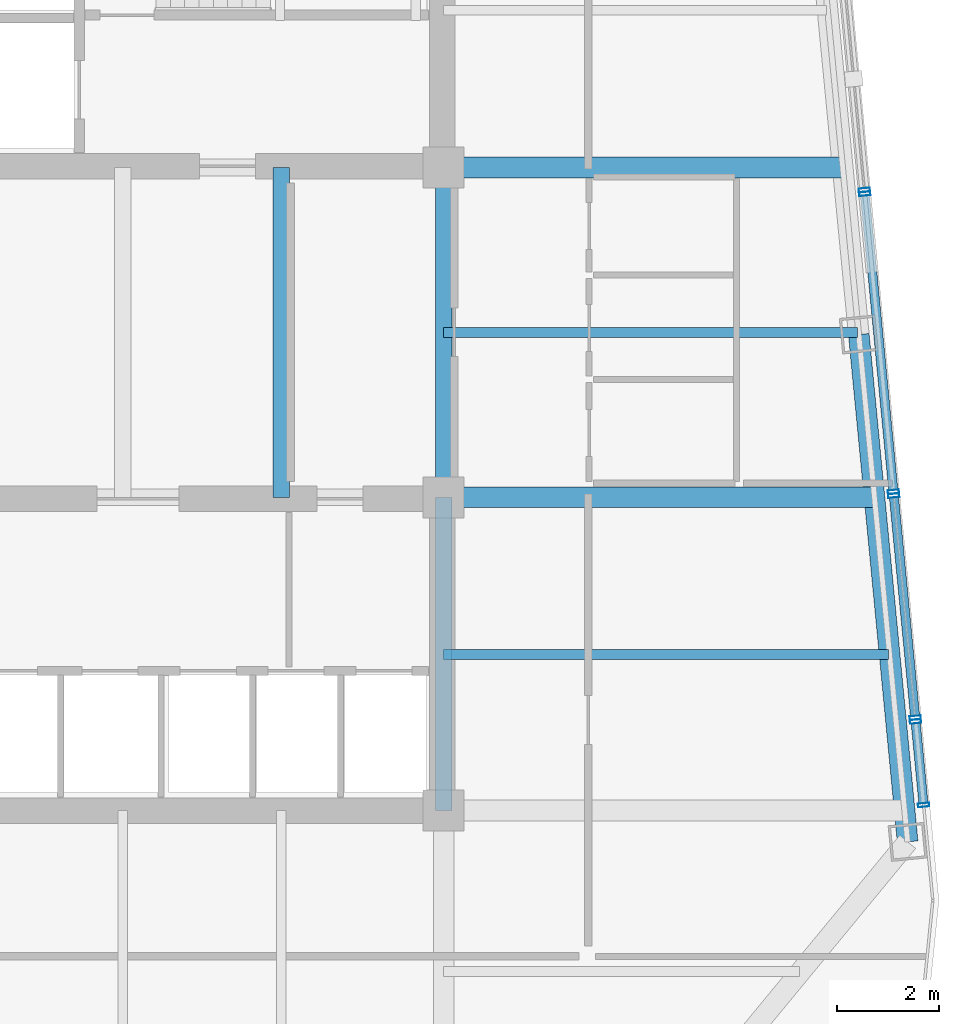
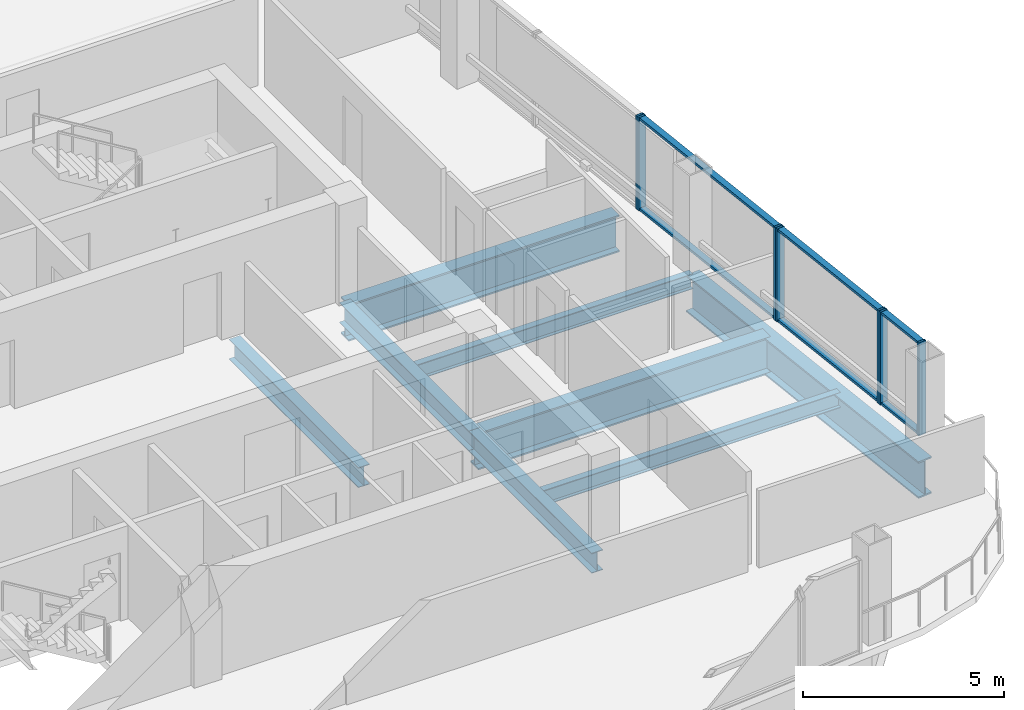
# One storey, part 14 of 28: 13 members, 8 beams, 4 elements without a shape of their own.
"""IFC4 building model written with IfcOpenShell, lengths in metres."""

from ifc_helpers import new_model, si_unit, direction, frame, origin, origin_2d, place, context, subcontext, project, spatial, hollow_rectangle, i_section, extrude, material, layer, layer_set, material_profile, profile_set, type_object, element, aggregate, save


model = new_model("IFC4")

# Units and contexts
model_context = context("Model", 3, precision=1e-05, world=origin(), true_north=direction((0.0, 1.0)))
body_context = subcontext(model_context, "Body", "Model", "MODEL_VIEW")
ifc_project = project(units=[si_unit("LENGTHUNIT", "METRE"), si_unit("AREAUNIT", "SQUARE_METRE"), si_unit("VOLUMEUNIT", "CUBIC_METRE"), si_unit("PLANEANGLEUNIT", "RADIAN"), si_unit("MASSUNIT", "GRAM", prefix="KILO")], contexts=[model_context])

# Site, building, storey
site_placement = place(None, origin())
site = spatial("IfcSite", under=ifc_project, at=site_placement, CompositionType="ELEMENT")
building_placement = place(site_placement, origin())
building = spatial("IfcBuilding", under=site, at=building_placement, Name="Qhalaya Broadcast Tower", CompositionType="ELEMENT")
storey_placement = place(building_placement, frame((0.0, 0.0, 159.199951171875)))
storey = spatial("IfcBuildingStorey", under=building, at=storey_placement, Name="L46", CompositionType="ELEMENT", Elevation=159.199951171875)

# Beams
ifc_material_1 = material(Name="Structural Steel ASTM A992 Grade 50", Category="steel")
ifc_material_profile_1 = material_profile(ifc_material_1, i_section(OverallWidth=0.19189453125, OverallDepth=0.462890625, WebThickness=0.010498046875, FlangeThickness=0.017578125, at=origin_2d()), Name="W18X60")
ifc_profile_set_1 = profile_set([ifc_material_profile_1], Name="Structural Steel ASTM A992 Grade 50")
beam_type_1 = type_object("IfcBeamType", Name="Composite Floor Joist J03", PredefinedType="JOIST", material=ifc_profile_set_1)
beam_1_placement = place(storey_placement, frame((9.375, -5.699951171875, -0.451416015625), z_axis=(1.0, 0.0, 0.0), x_axis=(0.0, 1.0, 0.0)))
element("IfcBeam", 1, at=beam_1_placement, inside=storey, type_object=beam_type_1, Name="L46 J03 L46-JWE3E-1", PredefinedType="JOIST", context=body_context, shape_type="SweptSolid", body=[
    extrude(i_section(OverallWidth=0.19189453125, OverallDepth=0.462890625, WebThickness=0.010498046875, FlangeThickness=0.017578125, at=origin_2d()), origin(), (0.0, 0.0, 1.0), 8.7001953125),
])
beam_2_placement = place(storey_placement, frame((9.375, 0.60009765625, -0.451416015625), z_axis=(1.0, 0.0, 0.0), x_axis=(0.0, 1.0, 0.0)))
element("IfcBeam", 2, at=beam_2_placement, inside=storey, type_object=beam_type_1, Name="L46 J03 L46-JWE4E-1", PredefinedType="JOIST", context=body_context, shape_type="SweptSolid", body=[
    extrude(i_section(OverallWidth=0.19189453125, OverallDepth=0.462890625, WebThickness=0.010498046875, FlangeThickness=0.017578125, at=origin_2d()), origin(), (0.0, 0.0, 1.0), 8.093505859375),
])
ifc_material_profile_2 = material_profile(ifc_material_1, i_section(OverallWidth=0.323974609375, OverallDepth=0.612060546875, WebThickness=0.0126953125, FlangeThickness=0.01904296875, at=origin_2d()), Name="W24X104")
ifc_profile_set_2 = profile_set([ifc_material_profile_2], Name="Structural Steel ASTM A992 Grade 50")
beam_type_2 = type_object("IfcBeamType", Name="Core Frame Tie Beam B04", PredefinedType="BEAM", material=ifc_profile_set_2)
beam_3_placement = place(storey_placement, frame((9.375, -8.75, -0.52587890625), z_axis=(0.0, 1.0, 0.0), x_axis=(-1.0, 0.0, 0.0)))
element("IfcBeam", 3, at=beam_3_placement, inside=storey, type_object=beam_type_2, Name="L46 B04 L46-CCS2", PredefinedType="BEAM", context=body_context, shape_type="SweptSolid", body=[
    extrude(i_section(OverallWidth=0.323974609375, OverallDepth=0.612060546875, WebThickness=0.0126953125, FlangeThickness=0.01904296875, at=origin_2d()), origin(), (0.0, 0.0, 1.0), 6.125),
])
for number, where, z_axis, x_axis, name in (
    (4, (9.375, -2.625, -0.52587890625), (0.0, 1.0, 0.0), (-1.0, 0.0, 0.0), "L46 B04 L46-CCE"),
    (5, (6.199951171875, -2.625, -0.52587890625), (0.0, 1.0, 0.0), (-1.0, 0.0, 0.0), "L46 B04 L46-JC5-1"),
):
    element("IfcBeam", number, at=place(storey_placement, frame(where, z_axis=z_axis, x_axis=x_axis)), inside=storey, type_object=beam_type_2, Name=name, PredefinedType="BEAM", context=body_context, shape_type="SweptSolid", body=[
        extrude(i_section(OverallWidth=0.323974609375, OverallDepth=0.612060546875, WebThickness=0.0126953125, FlangeThickness=0.01904296875, at=origin_2d()), origin(), (0.0, 0.0, 1.0), 6.449951171875),
    ])
ifc_material_profile_3 = material_profile(ifc_material_1, i_section(OverallWidth=0.404052734375, OverallDepth=1.117919921875, WebThickness=0.026123046875, FlangeThickness=0.044921875, at=origin_2d()), Name="W44X335")
ifc_profile_set_3 = profile_set([ifc_material_profile_3], Name="Structural Steel ASTM A992 Grade 50")
beam_type_3 = type_object("IfcBeamType", Name="Podium Long-Span Primary Girder PG1", PredefinedType="USERDEFINED", material=ifc_profile_set_3)
beam_4_placement = place(storey_placement, frame((18.44775390625, -9.362060546875, -0.779052734375), z_axis=(-0.095826293365, 0.995398071879, 0.0), x_axis=(-0.995398071879, -0.095826293365, 0.0)))
element("IfcBeam", 6, at=beam_4_placement, inside=storey, type_object=beam_type_3, Name="L46 PG1 L46-SPR-05", ObjectType="GIRDER", PredefinedType="USERDEFINED", context=body_context, shape_type="SweptSolid", body=[
    extrude(i_section(OverallWidth=0.404052734375, OverallDepth=1.117919921875, WebThickness=0.026123046875, FlangeThickness=0.044921875, at=origin_2d()), origin(), (0.0, 0.0, 1.0), 9.966796875),
])
beam_5_placement = place(storey_placement, frame((9.375, -2.625, -0.779052734375), z_axis=(1.0, 0.0, 0.0), x_axis=(0.0, 1.0, 0.0)))
element("IfcBeam", 7, at=beam_5_placement, inside=storey, type_object=beam_type_3, Name="L46 PG1 L46-PGYE2-1", ObjectType="GIRDER", PredefinedType="USERDEFINED", context=body_context, shape_type="SweptSolid", body=[
    extrude(i_section(OverallWidth=0.404052734375, OverallDepth=1.117919921875, WebThickness=0.026123046875, FlangeThickness=0.044921875, at=origin_2d()), origin(), (0.0, 0.0, 1.0), 8.404052734375),
])
beam_6_placement = place(storey_placement, frame((9.375, 3.824951171875, -0.779052734375), z_axis=(1.0, 0.0, 0.0), x_axis=(0.0, 1.0, 0.0)))
element("IfcBeam", 8, at=beam_6_placement, inside=storey, type_object=beam_type_3, Name="L46 PG1 L46-PGYE3-1", ObjectType="GIRDER", PredefinedType="USERDEFINED", context=body_context, shape_type="SweptSolid", body=[
    extrude(i_section(OverallWidth=0.404052734375, OverallDepth=1.117919921875, WebThickness=0.026123046875, FlangeThickness=0.044921875, at=origin_2d()), origin(), (0.0, 0.0, 1.0), 7.782958984375),
])

# Curtain wall, members
ifc_material_2 = material(Name="Fired Architectural Terracotta", Category="masonry")
ifc_layer_1 = layer(ifc_material_2, 0.219970703125, Name="Fired Architectural Terracotta")
ifc_layer_set_1 = layer_set([ifc_layer_1], Name="Fired Architectural Terracotta")
curtain_wall_type_1 = type_object("IfcCurtainWallType", Name="Block-Cap Unitised Terracotta Spandrel Wall CW-07", PredefinedType="NOTDEFINED", material=ifc_layer_set_1)
curtain_wall_1_placement = place(storey_placement, origin())
curtain_wall_1 = element("IfcCurtainWall", 9, at=curtain_wall_1_placement, inside=storey, type_object=curtain_wall_type_1, Name="L46 Unitised Curtain Wall L46-CW-E1", PredefinedType="NOTDEFINED")
ifc_material_3 = material(Name="Anodised Aluminium 6063-T6", Category="aluminium")
ifc_material_profile_4 = material_profile(ifc_material_3, hollow_rectangle(XDim=0.074951171875, YDim=0.219970703125, WallThickness=0.00390625, at=origin_2d()), Name="ALU-MUL 75x220x4")
ifc_profile_set_4 = profile_set([ifc_material_profile_4], Name="Anodised Aluminium 6063-T6")
member_type_1 = type_object("IfcMemberType", Name="Unitised Curtain-Wall Mullion M01", PredefinedType="MULLION", material=ifc_profile_set_4)
member_1_placement = place(storey_placement, frame((18.76025390625, -8.64111328125, 0.0), z_axis=(0.0, 0.0, 1.0), x_axis=(-0.095860176134, 0.995394809426, 0.0)))
member_1 = element("IfcMember", 10, at=member_1_placement, type_object=member_type_1, Name="CW-07 mullion 1", PredefinedType="MULLION", context=body_context, shape_type="SweptSolid", body=[
    extrude(hollow_rectangle(XDim=0.074951171875, YDim=0.219970703125, WallThickness=0.00390625, at=origin_2d()), origin(), (0.0, 0.0, 1.0), 2.830078125),
])
member_2_placement = place(storey_placement, frame((18.60302734375, -7.0087890625, 0.0), z_axis=(0.0, 0.0, 1.0), x_axis=(-0.095860176134, 0.995394809426, 0.0)))
member_2 = element("IfcMember", 11, at=member_2_placement, type_object=member_type_1, Name="CW-07 mullion 2", PredefinedType="MULLION", context=body_context, shape_type="SweptSolid", body=[
    extrude(hollow_rectangle(XDim=0.074951171875, YDim=0.219970703125, WallThickness=0.00390625, at=origin_2d()), origin(), (0.0, 0.0, 1.0), 2.830078125),
])

ifc_material_4 = material(Name="Solar-Control Low-E Triple Glazing", Category="glass")
ifc_layer_2 = layer(ifc_material_4, 0.219970703125, Name="Solar-Control Low-E Triple Glazing")
ifc_layer_set_2 = layer_set([ifc_layer_2], Name="Solar-Control Low-E Triple Glazing")
curtain_wall_type_2 = type_object("IfcCurtainWallType", Name="Even-Block 4-Storey Double-Module Curtain Wall CW-03", PredefinedType="NOTDEFINED", material=ifc_layer_set_2)
curtain_wall_2_placement = place(storey_placement, origin())
curtain_wall_2 = element("IfcCurtainWall", 12, at=curtain_wall_2_placement, inside=storey, type_object=curtain_wall_type_2, Name="L46 Unitised Curtain Wall L46-CW-E2", PredefinedType="NOTDEFINED")
member_3_placement = place(storey_placement, frame((18.595703125, -6.93408203125, 0.0), z_axis=(0.0, 0.0, 1.0), x_axis=(-0.095830074124, 0.9953977079, 0.0)))
member_3 = element("IfcMember", 13, at=member_3_placement, type_object=member_type_1, Name="CW-03 mullion 1", PredefinedType="MULLION", context=body_context, shape_type="SweptSolid", body=[
    extrude(hollow_rectangle(XDim=0.074951171875, YDim=0.219970703125, WallThickness=0.00390625, at=origin_2d()), origin(), (0.0, 0.0, 1.0), 2.830078125),
])
member_4_placement = place(storey_placement, frame((18.177734375, -2.592041015625, 0.0), z_axis=(0.0, 0.0, 1.0), x_axis=(-0.095830074124, 0.9953977079, 0.0)))
member_4 = element("IfcMember", 14, at=member_4_placement, type_object=member_type_1, Name="CW-03 mullion 2", PredefinedType="MULLION", context=body_context, shape_type="SweptSolid", body=[
    extrude(hollow_rectangle(XDim=0.074951171875, YDim=0.219970703125, WallThickness=0.00390625, at=origin_2d()), origin(), (0.0, 0.0, 1.0), 2.830078125),
])

curtain_wall_3_placement = place(storey_placement, origin())
curtain_wall_3 = element("IfcCurtainWall", 15, at=curtain_wall_3_placement, inside=storey, type_object=curtain_wall_type_1, Name="L46 Unitised Curtain Wall L46-CW-E3", PredefinedType="NOTDEFINED")
member_5_placement = place(storey_placement, frame((18.170654296875, -2.517578125, 0.0), z_axis=(0.0, 0.0, 1.0), x_axis=(-0.095850920361, 0.995395700747, 0.0)))
member_5 = element("IfcMember", 16, at=member_5_placement, type_object=member_type_1, Name="CW-07 mullion 1", PredefinedType="MULLION", context=body_context, shape_type="SweptSolid", body=[
    extrude(hollow_rectangle(XDim=0.074951171875, YDim=0.219970703125, WallThickness=0.00390625, at=origin_2d()), origin(), (0.0, 0.0, 1.0), 2.830078125),
])
member_6_placement = place(storey_placement, frame((17.609375, 3.3095703125, 0.0), z_axis=(0.0, 0.0, 1.0), x_axis=(-0.095850920361, 0.995395700747, 0.0)))
member_6 = element("IfcMember", 17, at=member_6_placement, type_object=member_type_1, Name="CW-07 mullion 2", PredefinedType="MULLION", context=body_context, shape_type="SweptSolid", body=[
    extrude(hollow_rectangle(XDim=0.074951171875, YDim=0.219970703125, WallThickness=0.00390625, at=origin_2d()), origin(), (0.0, 0.0, 1.0), 2.830078125),
])

# Curtain wall, member
curtain_wall_4_placement = place(storey_placement, origin())
curtain_wall_4 = element("IfcCurtainWall", 18, at=curtain_wall_4_placement, inside=storey, type_object=curtain_wall_type_2, Name="L46 Unitised Curtain Wall L46-CW-E4", PredefinedType="NOTDEFINED")
member_7_placement = place(storey_placement, frame((17.602294921875, 3.38427734375, 0.0), z_axis=(0.0, 0.0, 1.0), x_axis=(-0.095855381625, 0.995395271143, 0.0)))
member_7 = element("IfcMember", 19, at=member_7_placement, type_object=member_type_1, Name="CW-03 mullion 1", PredefinedType="MULLION", context=body_context, shape_type="SweptSolid", body=[
    extrude(hollow_rectangle(XDim=0.074951171875, YDim=0.219970703125, WallThickness=0.00390625, at=origin_2d()), origin(), (0.0, 0.0, 1.0), 2.830078125),
])
aggregate(curtain_wall_4, [member_7])

# Member
ifc_material_profile_5 = material_profile(ifc_material_3, hollow_rectangle(XDim=0.074951171875, YDim=0.179931640625, WallThickness=0.00390625, at=origin_2d()), Name="ALU-TRN 75x180x4")
ifc_profile_set_5 = profile_set([ifc_material_profile_5], Name="Anodised Aluminium 6063-T6")
member_type_2 = type_object("IfcMemberType", Name="Unitised Curtain-Wall Transom T01", PredefinedType="USERDEFINED", material=ifc_profile_set_5)
member_8_placement = place(storey_placement, frame((18.756591796875, -8.603759765625, 0.03759765625), z_axis=(-0.095795646917, 0.995401021715, 0.0), x_axis=(0.0, 0.0, 1.0)))
member_8 = element("IfcMember", 20, at=member_8_placement, type_object=member_type_2, Name="CW-07 transom 1.1", ObjectType="TRANSOM", PredefinedType="USERDEFINED", context=body_context, shape_type="SweptSolid", body=[
    extrude(hollow_rectangle(XDim=0.074951171875, YDim=0.179931640625, WallThickness=0.00390625, at=origin_2d()), origin(), (0.0, 0.0, 1.0), 1.564697265625),
])

member_9_placement = place(storey_placement, frame((18.756591796875, -8.603759765625, 2.79248046875), z_axis=(-0.095795646917, 0.995401021715, 0.0), x_axis=(0.0, 0.0, 1.0)))
member_9 = element("IfcMember", 21, at=member_9_placement, type_object=member_type_2, Name="CW-07 transom 1.2", ObjectType="TRANSOM", PredefinedType="USERDEFINED", context=body_context, shape_type="SweptSolid", body=[
    extrude(hollow_rectangle(XDim=0.074951171875, YDim=0.179931640625, WallThickness=0.00390625, at=origin_2d()), origin(), (0.0, 0.0, 1.0), 1.564697265625),
])

aggregate(curtain_wall_1, [member_1, member_2, member_8, member_9])

member_10_placement = place(storey_placement, frame((18.59228515625, -6.896728515625, 0.03759765625), z_axis=(-0.095843705792, 0.995396395443, 0.0), x_axis=(0.0, 0.0, 1.0)))
member_10 = element("IfcMember", 22, at=member_10_placement, type_object=member_type_2, Name="CW-03 transom 1.1", ObjectType="TRANSOM", PredefinedType="USERDEFINED", context=body_context, shape_type="SweptSolid", body=[
    extrude(hollow_rectangle(XDim=0.074951171875, YDim=0.179931640625, WallThickness=0.00390625, at=origin_2d()), origin(), (0.0, 0.0, 1.0), 4.287109375),
])

member_11_placement = place(storey_placement, frame((18.59228515625, -6.896728515625, 2.79248046875), z_axis=(-0.095843705792, 0.995396395443, 0.0), x_axis=(0.0, 0.0, 1.0)))
member_11 = element("IfcMember", 23, at=member_11_placement, type_object=member_type_2, Name="CW-03 transom 1.2", ObjectType="TRANSOM", PredefinedType="USERDEFINED", context=body_context, shape_type="SweptSolid", body=[
    extrude(hollow_rectangle(XDim=0.074951171875, YDim=0.179931640625, WallThickness=0.00390625, at=origin_2d()), origin(), (0.0, 0.0, 1.0), 4.287109375),
])

aggregate(curtain_wall_2, [member_3, member_4, member_10, member_11])

member_12_placement = place(storey_placement, frame((18.1669921875, -2.480224609375, 0.03759765625), z_axis=(-0.095855691474, 0.995395241305, 0.0), x_axis=(0.0, 0.0, 1.0)))
member_12 = element("IfcMember", 24, at=member_12_placement, type_object=member_type_2, Name="CW-07 transom 1.1", ObjectType="TRANSOM", PredefinedType="USERDEFINED", context=body_context, shape_type="SweptSolid", body=[
    extrude(hollow_rectangle(XDim=0.074951171875, YDim=0.179931640625, WallThickness=0.00390625, at=origin_2d()), origin(), (0.0, 0.0, 1.0), 5.779052734375),
])

member_13_placement = place(storey_placement, frame((18.1669921875, -2.480224609375, 2.79248046875), z_axis=(-0.095855691474, 0.995395241305, 0.0), x_axis=(0.0, 0.0, 1.0)))
member_13 = element("IfcMember", 25, at=member_13_placement, type_object=member_type_2, Name="CW-07 transom 1.2", ObjectType="TRANSOM", PredefinedType="USERDEFINED", context=body_context, shape_type="SweptSolid", body=[
    extrude(hollow_rectangle(XDim=0.074951171875, YDim=0.179931640625, WallThickness=0.00390625, at=origin_2d()), origin(), (0.0, 0.0, 1.0), 5.779052734375),
])

aggregate(curtain_wall_3, [member_5, member_6, member_12, member_13])

save(model, "model.ifc")
